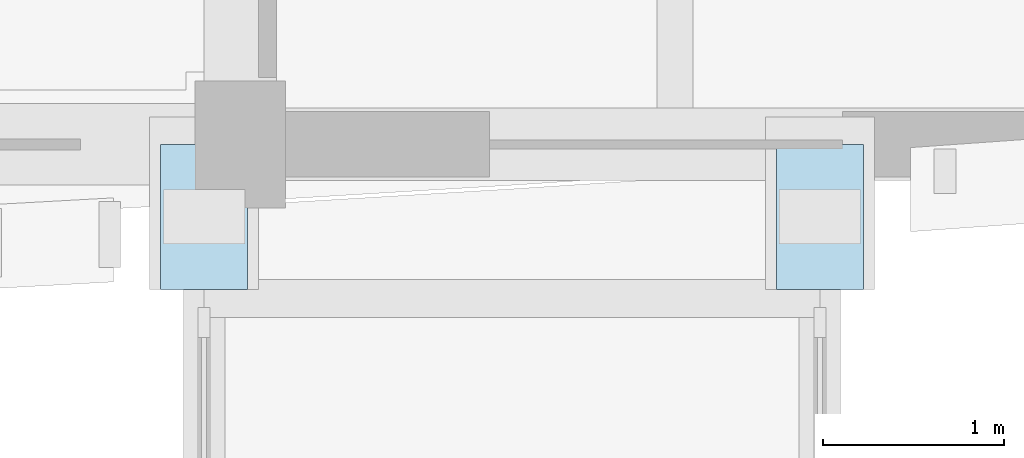
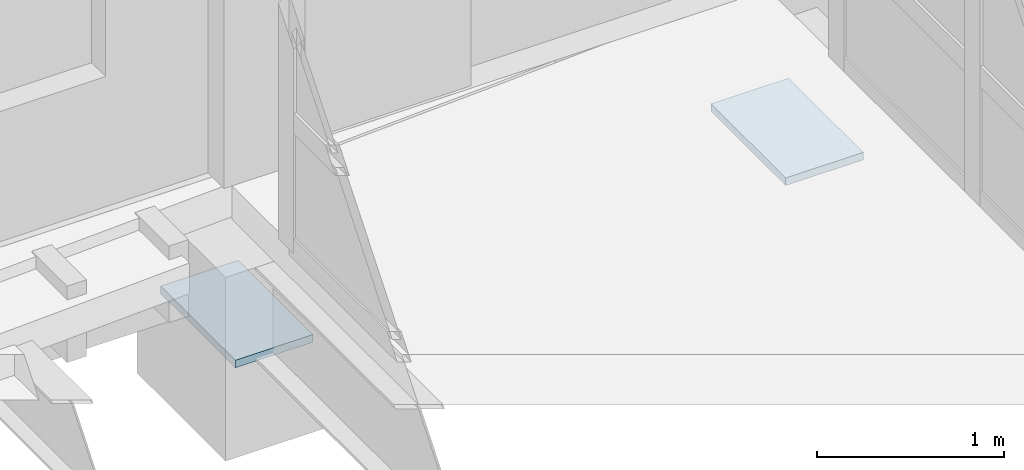
# One storey, part 84 of 125: 2 plates.
"""IFC4 building model written with IfcOpenShell, lengths in metres."""

from ifc_helpers import new_model, si_unit, direction, frame, origin, origin_2d, place, context, subcontext, project, spatial, rectangle, extrude, material, layer, layer_set, type_object, element, save


model = new_model("IFC4")

# Units and contexts
model_context = context("Model", 3, precision=1e-05, world=origin(), true_north=direction((0.0, 1.0)))
body_context = subcontext(model_context, "Body", "Model", "MODEL_VIEW")
ifc_project = project(units=[si_unit("LENGTHUNIT", "METRE"), si_unit("AREAUNIT", "SQUARE_METRE"), si_unit("VOLUMEUNIT", "CUBIC_METRE"), si_unit("PLANEANGLEUNIT", "RADIAN"), si_unit("MASSUNIT", "GRAM", prefix="KILO")], contexts=[model_context])

# Site, building, storey
site_placement = place(None, origin())
site = spatial("IfcSite", under=ifc_project, at=site_placement, CompositionType="ELEMENT")
building_placement = place(site_placement, origin())
building = spatial("IfcBuilding", under=site, at=building_placement, Name="Dornvale Research Institute", CompositionType="ELEMENT")
storey_placement = place(building_placement, frame((0.0, 0.0, 5.39990234375)))
storey = spatial("IfcBuildingStorey", under=building, at=storey_placement, Name="L01", CompositionType="ELEMENT", Elevation=5.39990234375)

# Plates
ifc_material = material(Name="Steel ASTM A572 Grade 50", Category="steel")
ifc_layer = layer(ifc_material, 0.050048828125)
ifc_layer_set = layer_set([ifc_layer], Name="Steel ASTM A572 Grade 50")
plate_type = type_object("IfcPlateType", Name="SheetPlate_Bearing_50", PredefinedType="SHEET", material=ifc_layer_set)
for number, where, z_axis, x_axis, name in (
    (1, (41.199951171875, 98.60009765625, -0.83203125), (0.0, 0.0, 1.0), (1.0, 0.0, 0.0), "Bridge 800mm sliding seat sole plate ND-05"),
    (2, (44.60009765625, 98.60009765625, -0.83203125), (0.0, 0.0, 1.0), (1.0, 0.0, 0.0), "Bridge 800mm sliding seat sole plate ND-06"),
):
    element("IfcPlate", number, at=place(storey_placement, frame(where, z_axis=z_axis, x_axis=x_axis)), inside=storey, type_object=plate_type, Name=name, PredefinedType="SHEET", context=body_context, shape_type="SweptSolid", body=[
        extrude(rectangle(XDim=0.47998046875, YDim=0.800048828125, at=origin_2d()), origin(), (0.0, 0.0, 1.0), 0.050048828125),
    ])

save(model, "model.ifc")
